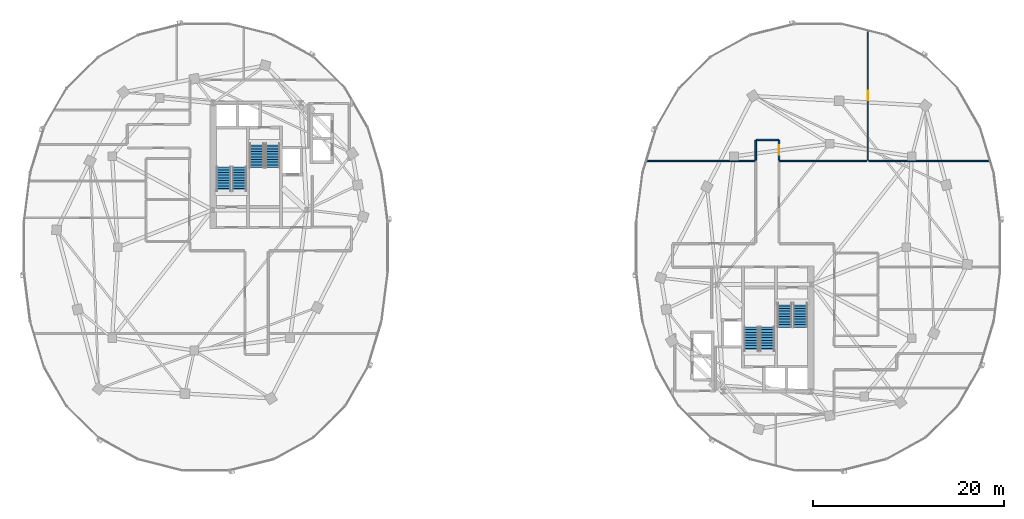
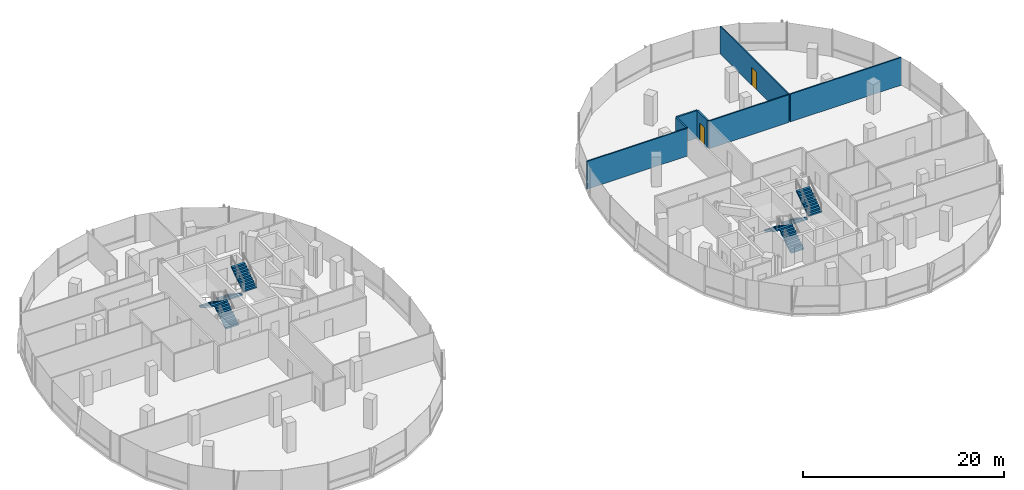
# One storey, part 15 of 22: 8 stair flights, 7 walls, 2 doors, 2 openings, 4 elements without a shape of their own.
"""IFC4 building model written with IfcOpenShell, lengths in metres."""

from ifc_helpers import new_model, si_unit, direction, frame, frame_2d, origin, place, context, subcontext, project, spatial, polyline, rectangle, outline, extrude, material, layer, layer_set, type_object, element, fill, aggregate, save


model = new_model("IFC4")

# Units and contexts
model_context = context("Model", 3, precision=1e-05, world=origin(), true_north=direction((0.0, 1.0)))
body_context = subcontext(model_context, "Body", "Model", "MODEL_VIEW")
ifc_project = project(units=[si_unit("LENGTHUNIT", "METRE"), si_unit("AREAUNIT", "SQUARE_METRE"), si_unit("VOLUMEUNIT", "CUBIC_METRE"), si_unit("PLANEANGLEUNIT", "RADIAN"), si_unit("MASSUNIT", "GRAM", prefix="KILO"), si_unit("THERMODYNAMICTEMPERATUREUNIT", "KELVIN"), si_unit("POWERUNIT", "WATT")], contexts=[model_context])

# Site, building, storey
site_placement = place(None, origin())
site = spatial("IfcSite", under=ifc_project, at=site_placement, CompositionType="ELEMENT")
building_placement = place(site_placement, origin())
building = spatial("IfcBuilding", under=site, at=building_placement, Name="Cundina Bronze Exchange", CompositionType="ELEMENT")
storey_placement = place(building_placement, frame((0.0, 0.0, 147.60009765625)))
storey = spatial("IfcBuildingStorey", under=building, at=storey_placement, Name="L38", CompositionType="ELEMENT", Elevation=147.60009765625)

# Walls
ifc_material_1 = material(Name="Gypsum Fireboard Partition EI120")
ifc_layer_1 = layer(ifc_material_1, 0.179931640625, Name="Gypsum Fireboard Partition EI120")
ifc_layer_set_1 = layer_set([ifc_layer_1], Name="Gypsum Fireboard Partition EI120")
wall_type_1 = type_object("IfcWallType", Name="WL-COR-180", PredefinedType="PARTITIONING", material=ifc_layer_set_1)
wall_1_placement = place(storey_placement, frame((27.87841796875, 11.219970703125, 0.0), z_axis=(0.0, 0.0, 1.0), x_axis=(-1.0, 0.0, 0.0)))
element("IfcWall", 1, at=wall_1_placement, inside=storey, type_object=wall_type_1, Name="L38 Interior Partition 081", PredefinedType="PARTITIONING", context=body_context, shape_type="SweptSolid", body=[
    extrude(rectangle(XDim=2.35693359375, YDim=0.179931640625, at=frame_2d((1.178466796875, 0.0))), origin(), (0.0, 0.0, 1.0), 3.35986328125),
])
wall_2_placement = place(storey_placement, frame((25.47998046875, 11.178466796875, 0.0), z_axis=(0.0, 0.0, 1.0), x_axis=(0.0, -1.0, 0.0)))
element("IfcWall", 2, at=wall_2_placement, inside=storey, type_object=wall_type_1, Name="L38 Interior Partition 082", PredefinedType="PARTITIONING", context=body_context, shape_type="SweptSolid", body=[
    extrude(rectangle(XDim=2.078369140625, YDim=0.179931640625, at=frame_2d((1.0390625, 0.0))), origin(), (0.0, 0.0, 1.0), 3.35986328125),
])

# Wall, opening, door
wall_3_placement = place(storey_placement, frame((27.919921875, 9.10009765625, 0.0), z_axis=(0.0, 0.0, 1.0), x_axis=(0.0, 1.0, 0.0)))
wall_3 = element("IfcWall", 3, at=wall_3_placement, inside=storey, type_object=wall_type_1, Name="L38 Interior Partition 083", PredefinedType="PARTITIONING", context=body_context, shape_type="SweptSolid", body=[
    extrude(rectangle(XDim=2.078369140625, YDim=0.179931640625, at=frame_2d((1.0390625, 0.0))), origin(), (0.0, 0.0, 1.0), 3.35986328125),
])
opening_1_placement = place(wall_3_placement, frame((0.539306640625, 0.0, 0.0)))
opening_1 = element("IfcOpeningElement", 4, at=opening_1_placement, cuts=wall_3, Name="Opening DO-01", PredefinedType="OPENING", context=body_context, shape_type="SweptSolid", body=[
    extrude(rectangle(XDim=1.0, YDim=2.14990234375, at=frame_2d((0.5, 1.074951171875))), frame((0.0, 0.099853515625, 0.0), z_axis=(0.0, -1.0, 0.0), x_axis=(1.0, 0.0, 0.0)), (0.0, 0.0, 1.0), 0.199951171875),
])
ifc_material_2 = material(Name="Solid Andean Oak Timber Grade A", Category="wood")
door_type = type_object("IfcDoorType", Name="DR-OFF-1000", OperationType="NOTDEFINED", PredefinedType="DOOR", material=ifc_material_2)
door_1_placement = place(opening_1_placement, origin())
door_1 = element("IfcDoor", 5, at=door_1_placement, inside=storey, type_object=door_type, Name="L38 Interior Door 083", OperationType="SINGLE_SWING_RIGHT", OverallHeight=2.14990234375, OverallWidth=1.0, PredefinedType="DOOR", context=body_context, shape_type="SweptSolid", body=[
    extrude(rectangle(XDim=1.0, YDim=2.14990234375, at=frame_2d((0.5, 1.074951171875))), frame((0.0, 0.02490234375, 0.0), z_axis=(0.0, -1.0, 0.0), x_axis=(1.0, 0.0, 0.0)), (0.0, 0.0, 1.0), 0.050048828125),
])
fill(opening_1, door_1)

ifc_material_3 = material(Name="Gypsum Acoustic Partition EI60")
ifc_layer_2 = layer(ifc_material_3, 0.125, Name="Gypsum Acoustic Partition EI60")
ifc_layer_set_2 = layer_set([ifc_layer_2], Name="Gypsum Acoustic Partition EI60")
wall_type_2 = type_object("IfcWallType", Name="WL-OFF-125", PredefinedType="PARTITIONING", material=ifc_layer_set_2)
wall_4_placement = place(storey_placement, frame((37.18994140625, 9.10009765625, 0.0), z_axis=(0.0, 0.0, 1.0), x_axis=(0.0, 1.0, 0.0)))
wall_4 = element("IfcWall", 6, at=wall_4_placement, inside=storey, type_object=wall_type_2, Name="L38 Interior Partition 085", PredefinedType="PARTITIONING", context=body_context, shape_type="SweptSolid", body=[
    extrude(rectangle(XDim=13.531982421875, YDim=0.125, at=frame_2d((6.76611328125, 0.0))), origin(), (0.0, 0.0, 1.0), 3.35986328125),
])
opening_2_placement = place(wall_4_placement, frame((6.26611328125, 0.0, 0.0)))
opening_2 = element("IfcOpeningElement", 7, at=opening_2_placement, cuts=wall_4, Name="Opening DO-01", PredefinedType="OPENING", context=body_context, shape_type="SweptSolid", body=[
    extrude(rectangle(XDim=1.0, YDim=2.14990234375, at=frame_2d((0.5, 1.074951171875))), frame((0.0, 0.072509765625, 0.0), z_axis=(0.0, -1.0, 0.0), x_axis=(1.0, 0.0, 0.0)), (0.0, 0.0, 1.0), 0.14501953125),
])
door_2_placement = place(opening_2_placement, origin())
door_2 = element("IfcDoor", 8, at=door_2_placement, inside=storey, type_object=door_type, Name="L38 Interior Door 085", OperationType="SINGLE_SWING_RIGHT", OverallHeight=2.14990234375, OverallWidth=1.0, PredefinedType="DOOR", context=body_context, shape_type="SweptSolid", body=[
    extrude(rectangle(XDim=1.0, YDim=2.14990234375, at=frame_2d((0.5, 1.074951171875))), frame((0.0, 0.02490234375, 0.0), z_axis=(0.0, -1.0, 0.0), x_axis=(1.0, 0.0, 0.0)), (0.0, 0.0, 1.0), 0.050048828125),
])
fill(opening_2, door_2)

# Walls
ifc_layer_3 = layer(ifc_material_3, 0.14990234375, Name="Gypsum Acoustic Partition EI60")
ifc_layer_set_3 = layer_set([ifc_layer_3], Name="Gypsum Acoustic Partition EI60")
wall_type_3 = type_object("IfcWallType", Name="WL-TEN-150", PredefinedType="PARTITIONING", material=ifc_layer_set_3)
wall_5_placement = place(storey_placement, frame((13.95458984375, 9.010009765625, 0.0), z_axis=(0.0, 0.0, 1.0), x_axis=(1.0, 0.0, 0.0)))
element("IfcWall", 9, at=wall_5_placement, inside=storey, type_object=wall_type_3, Name="L38 Interior Partition 058", PredefinedType="PARTITIONING", context=body_context, shape_type="SweptSolid", body=[
    extrude(rectangle(XDim=11.495361328125, YDim=0.14990234375, at=frame_2d((5.74755859375, 0.0))), origin(), (0.0, 0.0, 1.0), 3.35986328125),
])
wall_6_placement = place(storey_placement, frame((27.949951171875, 9.010009765625, 0.0), z_axis=(0.0, 0.0, 1.0), x_axis=(1.0, 0.0, 0.0)))
element("IfcWall", 10, at=wall_6_placement, inside=storey, type_object=wall_type_3, Name="L38 Interior Partition 059", PredefinedType="PARTITIONING", context=body_context, shape_type="SweptSolid", body=[
    extrude(rectangle(XDim=9.155029296875, YDim=0.14990234375, at=frame_2d((4.57763671875, 0.0))), origin(), (0.0, 0.0, 1.0), 3.35986328125),
])
wall_7_placement = place(storey_placement, frame((37.27490234375, 9.010009765625, 0.0), z_axis=(0.0, 0.0, 1.0), x_axis=(1.0, 0.0, 0.0)))
element("IfcWall", 11, at=wall_7_placement, inside=storey, type_object=wall_type_3, Name="L38 Interior Partition 060", PredefinedType="PARTITIONING", context=body_context, shape_type="SweptSolid", body=[
    extrude(rectangle(XDim=12.7705078125, YDim=0.14990234375, at=frame_2d((6.38525390625, 0.0))), origin(), (0.0, 0.0, 1.0), 3.35986328125),
])

# Stair, stair flights
ifc_material_4 = material(Name="Concrete C40/50", Category="concrete")
stair_type = type_object("IfcStairType", Name="STR-OFF-360", PredefinedType="HALF_TURN_STAIR", material=ifc_material_4)
stair_1_placement = place(storey_placement, origin())
stair_1 = element("IfcStair", 12, at=stair_1_placement, inside=storey, type_object=stair_type, Name="L38 Smokeproof Exit Stair W1", PredefinedType="HALF_TURN_STAIR")
stair_flight_type = type_object("IfcStairFlightType", Name="FLG-OFF-180", PredefinedType="STRAIGHT", material=ifc_material_4)
stair_flight_1_placement = place(storey_placement, frame((-28.489990234375, 5.85009765625, 0.0), z_axis=(0.0, 0.0, 1.0), x_axis=(0.0, 1.0, 0.0)))
stair_flight_1 = element("IfcStairFlight", 13, at=stair_flight_1_placement, type_object=stair_flight_type, Name="ST-W1 flight 1", NumberOfRisers=10, NumberOfTreads=9, PredefinedType="STRAIGHT", RiserHeight=0.18, TreadLength=0.28, context=body_context, shape_type="SweptSolid", body=[
    extrude(outline(polyline([(0.0, 0.0), (0.0, 0.179931640625), (0.280029296875, 0.179931640625), (0.280029296875, 0.360107421875), (0.56005859375, 0.360107421875), (0.56005859375, 0.5400390625), (0.840087890625, 0.5400390625), (0.840087890625, 0.719970703125), (1.1201171875, 0.719970703125), (1.1201171875, 0.89990234375), (1.39990234375, 0.89990234375), (1.39990234375, 1.080078125), (1.679931640625, 1.080078125), (1.679931640625, 1.260009765625), (1.9599609375, 1.260009765625), (1.9599609375, 1.43994140625), (2.239990234375, 1.43994140625), (2.239990234375, 1.6201171875), (2.52001953125, 1.6201171875), (2.52001953125, 1.800048828125), (2.52001953125, 1.44189453125), (0.277099609375, 0.0), (0.0, 0.0)])), frame((0.0, 0.75, 0.0), z_axis=(0.0, -1.0, 0.0), x_axis=(1.0, 0.0, 0.0)), (0.0, 0.0, 1.0), 1.5),
])
stair_flight_2_placement = place(storey_placement, frame((-30.14990234375, 8.3701171875, 1.7998046875), z_axis=(0.0, 0.0, 1.0), x_axis=(0.0, -1.0, 0.0)))
stair_flight_2 = element("IfcStairFlight", 14, at=stair_flight_2_placement, type_object=stair_flight_type, Name="ST-W1 flight 2", NumberOfRisers=10, NumberOfTreads=9, PredefinedType="STRAIGHT", RiserHeight=0.18, TreadLength=0.28, context=body_context, shape_type="SweptSolid", body=[
    extrude(outline(polyline([(0.0, 0.0), (0.0, 0.179931640625), (0.280029296875, 0.179931640625), (0.280029296875, 0.360107421875), (0.56005859375, 0.360107421875), (0.56005859375, 0.5400390625), (0.840087890625, 0.5400390625), (0.840087890625, 0.719970703125), (1.1201171875, 0.719970703125), (1.1201171875, 0.89990234375), (1.39990234375, 0.89990234375), (1.39990234375, 1.080078125), (1.679931640625, 1.080078125), (1.679931640625, 1.260009765625), (1.9599609375, 1.260009765625), (1.9599609375, 1.43994140625), (2.239990234375, 1.43994140625), (2.239990234375, 1.6201171875), (2.52001953125, 1.6201171875), (2.52001953125, 1.800048828125), (2.52001953125, 1.44189453125), (0.277099609375, 0.0), (0.0, 0.0)])), frame((0.0, 0.75, 0.0), z_axis=(0.0, -1.0, 0.0), x_axis=(1.0, 0.0, 0.0)), (0.0, 0.0, 1.0), 1.5),
])
aggregate(stair_1, [stair_flight_1, stair_flight_2])

stair_2_placement = place(storey_placement, origin())
stair_2 = element("IfcStair", 15, at=stair_2_placement, inside=storey, type_object=stair_type, Name="L38 Smokeproof Exit Stair W2", PredefinedType="HALF_TURN_STAIR")
stair_flight_3_placement = place(storey_placement, frame((-26.68994140625, 10.85009765625, 0.0), z_axis=(0.0, 0.0, 1.0), x_axis=(0.0, -1.0, 0.0)))
stair_flight_3 = element("IfcStairFlight", 16, at=stair_flight_3_placement, type_object=stair_flight_type, Name="ST-W2 flight 1", NumberOfRisers=10, NumberOfTreads=9, PredefinedType="STRAIGHT", RiserHeight=0.18, TreadLength=0.28, context=body_context, shape_type="SweptSolid", body=[
    extrude(outline(polyline([(0.0, 0.0), (0.0, 0.179931640625), (0.280029296875, 0.179931640625), (0.280029296875, 0.360107421875), (0.56005859375, 0.360107421875), (0.56005859375, 0.5400390625), (0.840087890625, 0.5400390625), (0.840087890625, 0.719970703125), (1.1201171875, 0.719970703125), (1.1201171875, 0.89990234375), (1.39990234375, 0.89990234375), (1.39990234375, 1.080078125), (1.679931640625, 1.080078125), (1.679931640625, 1.260009765625), (1.9599609375, 1.260009765625), (1.9599609375, 1.43994140625), (2.239990234375, 1.43994140625), (2.239990234375, 1.6201171875), (2.52001953125, 1.6201171875), (2.52001953125, 1.800048828125), (2.52001953125, 1.44189453125), (0.277099609375, 0.0), (0.0, 0.0)])), frame((0.0, 0.75, 0.0), z_axis=(0.0, -1.0, 0.0), x_axis=(1.0, 0.0, 0.0)), (0.0, 0.0, 1.0), 1.5),
])
stair_flight_4_placement = place(storey_placement, frame((-25.030029296875, 8.330078125, 1.7998046875), z_axis=(0.0, 0.0, 1.0), x_axis=(0.0, 1.0, 0.0)))
stair_flight_4 = element("IfcStairFlight", 17, at=stair_flight_4_placement, type_object=stair_flight_type, Name="ST-W2 flight 2", NumberOfRisers=10, NumberOfTreads=9, PredefinedType="STRAIGHT", RiserHeight=0.18, TreadLength=0.28, context=body_context, shape_type="SweptSolid", body=[
    extrude(outline(polyline([(0.0, 0.0), (0.0, 0.179931640625), (0.280029296875, 0.179931640625), (0.280029296875, 0.360107421875), (0.56005859375, 0.360107421875), (0.56005859375, 0.5400390625), (0.840087890625, 0.5400390625), (0.840087890625, 0.719970703125), (1.1201171875, 0.719970703125), (1.1201171875, 0.89990234375), (1.39990234375, 0.89990234375), (1.39990234375, 1.080078125), (1.679931640625, 1.080078125), (1.679931640625, 1.260009765625), (1.9599609375, 1.260009765625), (1.9599609375, 1.43994140625), (2.239990234375, 1.43994140625), (2.239990234375, 1.6201171875), (2.52001953125, 1.6201171875), (2.52001953125, 1.800048828125), (2.52001953125, 1.44189453125), (0.277099609375, 0.0), (0.0, 0.0)])), frame((0.0, 0.75, 0.0), z_axis=(0.0, -1.0, 0.0), x_axis=(1.0, 0.0, 0.0)), (0.0, 0.0, 1.0), 1.5),
])
aggregate(stair_2, [stair_flight_3, stair_flight_4])

stair_3_placement = place(storey_placement, origin())
stair_3 = element("IfcStair", 18, at=stair_3_placement, inside=storey, type_object=stair_type, Name="L38 Smokeproof Exit Stair E1", PredefinedType="HALF_TURN_STAIR")
stair_flight_5_placement = place(storey_placement, frame((28.489990234375, -5.85009765625, 0.0), z_axis=(0.0, 0.0, 1.0), x_axis=(0.0, -1.0, 0.0)))
stair_flight_5 = element("IfcStairFlight", 19, at=stair_flight_5_placement, type_object=stair_flight_type, Name="ST-E1 flight 1", NumberOfRisers=10, NumberOfTreads=9, PredefinedType="STRAIGHT", RiserHeight=0.18, TreadLength=0.28, context=body_context, shape_type="SweptSolid", body=[
    extrude(outline(polyline([(0.0, 0.0), (0.0, 0.179931640625), (0.280029296875, 0.179931640625), (0.280029296875, 0.360107421875), (0.56005859375, 0.360107421875), (0.56005859375, 0.5400390625), (0.840087890625, 0.5400390625), (0.840087890625, 0.719970703125), (1.1201171875, 0.719970703125), (1.1201171875, 0.89990234375), (1.39990234375, 0.89990234375), (1.39990234375, 1.080078125), (1.679931640625, 1.080078125), (1.679931640625, 1.260009765625), (1.9599609375, 1.260009765625), (1.9599609375, 1.43994140625), (2.239990234375, 1.43994140625), (2.239990234375, 1.6201171875), (2.52001953125, 1.6201171875), (2.52001953125, 1.800048828125), (2.52001953125, 1.44189453125), (0.277099609375, 0.0), (0.0, 0.0)])), frame((0.0, 0.75, 0.0), z_axis=(0.0, -1.0, 0.0), x_axis=(1.0, 0.0, 0.0)), (0.0, 0.0, 1.0), 1.5),
])
stair_flight_6_placement = place(storey_placement, frame((30.14990234375, -8.3701171875, 1.7998046875), z_axis=(0.0, 0.0, 1.0), x_axis=(0.0, 1.0, 0.0)))
stair_flight_6 = element("IfcStairFlight", 20, at=stair_flight_6_placement, type_object=stair_flight_type, Name="ST-E1 flight 2", NumberOfRisers=10, NumberOfTreads=9, PredefinedType="STRAIGHT", RiserHeight=0.18, TreadLength=0.28, context=body_context, shape_type="SweptSolid", body=[
    extrude(outline(polyline([(0.0, 0.0), (0.0, 0.179931640625), (0.280029296875, 0.179931640625), (0.280029296875, 0.360107421875), (0.56005859375, 0.360107421875), (0.56005859375, 0.5400390625), (0.840087890625, 0.5400390625), (0.840087890625, 0.719970703125), (1.1201171875, 0.719970703125), (1.1201171875, 0.89990234375), (1.39990234375, 0.89990234375), (1.39990234375, 1.080078125), (1.679931640625, 1.080078125), (1.679931640625, 1.260009765625), (1.9599609375, 1.260009765625), (1.9599609375, 1.43994140625), (2.239990234375, 1.43994140625), (2.239990234375, 1.6201171875), (2.52001953125, 1.6201171875), (2.52001953125, 1.800048828125), (2.52001953125, 1.44189453125), (0.277099609375, 0.0), (0.0, 0.0)])), frame((0.0, 0.75, 0.0), z_axis=(0.0, -1.0, 0.0), x_axis=(1.0, 0.0, 0.0)), (0.0, 0.0, 1.0), 1.5),
])
aggregate(stair_3, [stair_flight_5, stair_flight_6])

stair_4_placement = place(storey_placement, origin())
stair_4 = element("IfcStair", 21, at=stair_4_placement, inside=storey, type_object=stair_type, Name="L38 Smokeproof Exit Stair E2", PredefinedType="HALF_TURN_STAIR")
stair_flight_7_placement = place(storey_placement, frame((26.68994140625, -10.85009765625, 0.0), z_axis=(0.0, 0.0, 1.0), x_axis=(0.0, 1.0, 0.0)))
stair_flight_7 = element("IfcStairFlight", 22, at=stair_flight_7_placement, type_object=stair_flight_type, Name="ST-E2 flight 1", NumberOfRisers=10, NumberOfTreads=9, PredefinedType="STRAIGHT", RiserHeight=0.18, TreadLength=0.28, context=body_context, shape_type="SweptSolid", body=[
    extrude(outline(polyline([(0.0, 0.0), (0.0, 0.179931640625), (0.280029296875, 0.179931640625), (0.280029296875, 0.360107421875), (0.56005859375, 0.360107421875), (0.56005859375, 0.5400390625), (0.840087890625, 0.5400390625), (0.840087890625, 0.719970703125), (1.1201171875, 0.719970703125), (1.1201171875, 0.89990234375), (1.39990234375, 0.89990234375), (1.39990234375, 1.080078125), (1.679931640625, 1.080078125), (1.679931640625, 1.260009765625), (1.9599609375, 1.260009765625), (1.9599609375, 1.43994140625), (2.239990234375, 1.43994140625), (2.239990234375, 1.6201171875), (2.52001953125, 1.6201171875), (2.52001953125, 1.800048828125), (2.52001953125, 1.44189453125), (0.277099609375, 0.0), (0.0, 0.0)])), frame((0.0, 0.75, 0.0), z_axis=(0.0, -1.0, 0.0), x_axis=(1.0, 0.0, 0.0)), (0.0, 0.0, 1.0), 1.5),
])
stair_flight_8_placement = place(storey_placement, frame((25.030029296875, -8.330078125, 1.7998046875), z_axis=(0.0, 0.0, 1.0), x_axis=(0.0, -1.0, 0.0)))
stair_flight_8 = element("IfcStairFlight", 23, at=stair_flight_8_placement, type_object=stair_flight_type, Name="ST-E2 flight 2", NumberOfRisers=10, NumberOfTreads=9, PredefinedType="STRAIGHT", RiserHeight=0.18, TreadLength=0.28, context=body_context, shape_type="SweptSolid", body=[
    extrude(outline(polyline([(0.0, 0.0), (0.0, 0.179931640625), (0.280029296875, 0.179931640625), (0.280029296875, 0.360107421875), (0.56005859375, 0.360107421875), (0.56005859375, 0.5400390625), (0.840087890625, 0.5400390625), (0.840087890625, 0.719970703125), (1.1201171875, 0.719970703125), (1.1201171875, 0.89990234375), (1.39990234375, 0.89990234375), (1.39990234375, 1.080078125), (1.679931640625, 1.080078125), (1.679931640625, 1.260009765625), (1.9599609375, 1.260009765625), (1.9599609375, 1.43994140625), (2.239990234375, 1.43994140625), (2.239990234375, 1.6201171875), (2.52001953125, 1.6201171875), (2.52001953125, 1.800048828125), (2.52001953125, 1.44189453125), (0.277099609375, 0.0), (0.0, 0.0)])), frame((0.0, 0.75, 0.0), z_axis=(0.0, -1.0, 0.0), x_axis=(1.0, 0.0, 0.0)), (0.0, 0.0, 1.0), 1.5),
])
aggregate(stair_4, [stair_flight_7, stair_flight_8])

save(model, "model.ifc")
